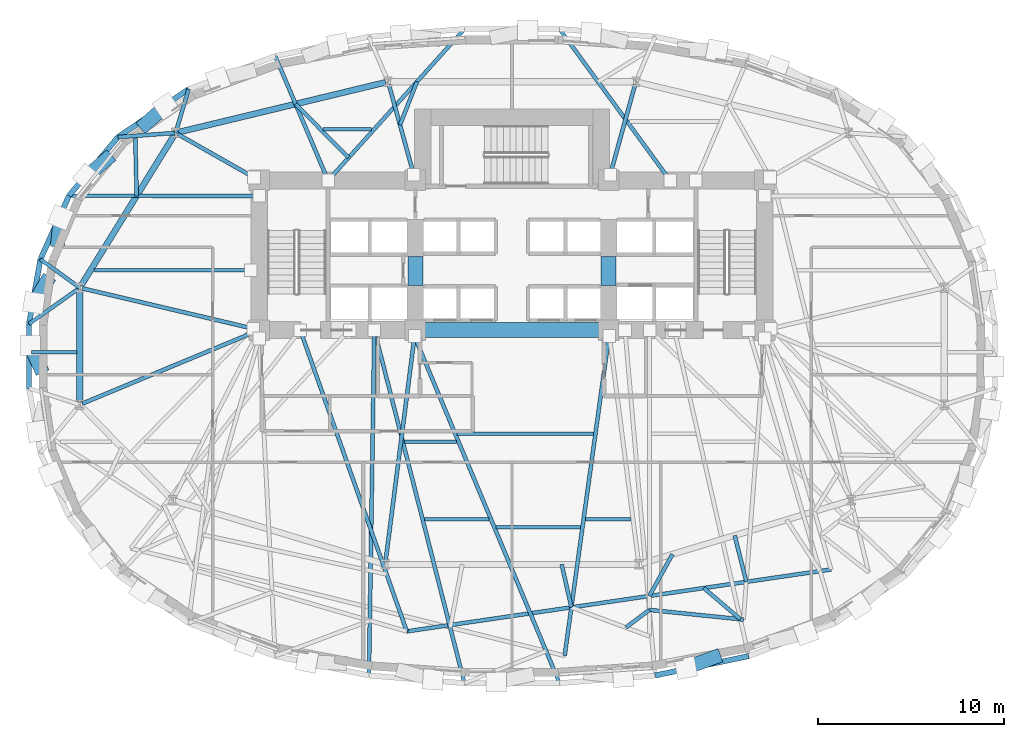
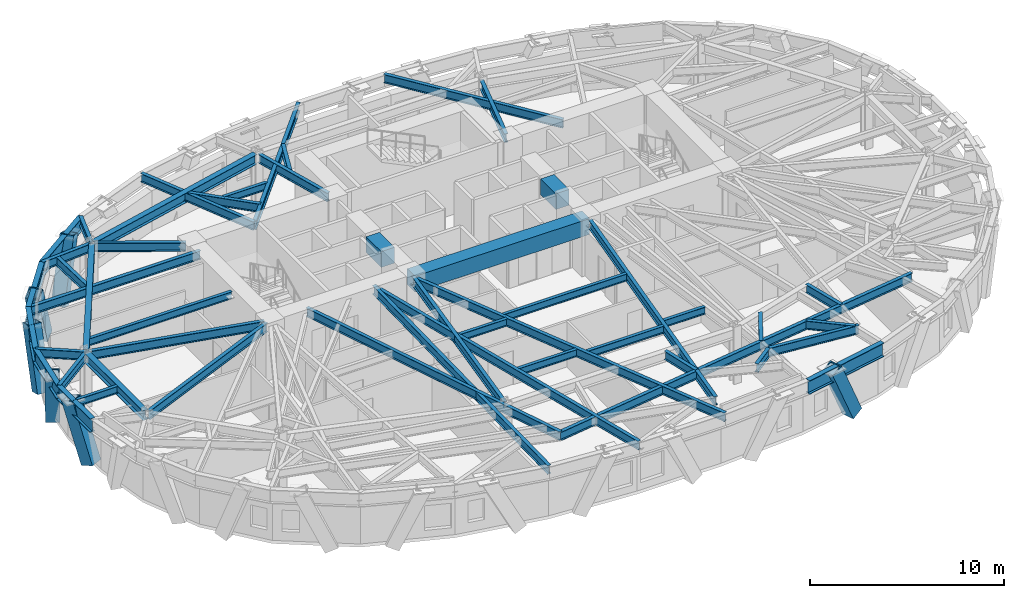
# One storey, part 2 of 13: 49 beams, 6 members.
"""IFC4 building model written with IfcOpenShell, lengths in metres."""

from ifc_helpers import new_model, si_unit, direction, frame, origin, origin_2d, place, context, subcontext, project, spatial, rectangle, hollow_rectangle, i_section, extrude, material, material_profile, profile_set, type_object, element, save


model = new_model("IFC4")

# Units and contexts
model_context = context("Model", 3, precision=1e-05, world=origin(), true_north=direction((0.0, 1.0)))
body_context = subcontext(model_context, "Body", "Model", "MODEL_VIEW")
ifc_project = project(units=[si_unit("LENGTHUNIT", "METRE"), si_unit("AREAUNIT", "SQUARE_METRE"), si_unit("VOLUMEUNIT", "CUBIC_METRE"), si_unit("PLANEANGLEUNIT", "RADIAN"), si_unit("MASSUNIT", "GRAM", prefix="KILO")], contexts=[model_context])

# Site, building, storey
site_placement = place(None, origin())
site = spatial("IfcSite", under=ifc_project, at=site_placement, CompositionType="ELEMENT")
building_placement = place(site_placement, origin())
building = spatial("IfcBuilding", under=site, at=building_placement, Name="Keldmark Tower", CompositionType="ELEMENT")
storey_placement = place(building_placement, frame((0.0, 0.0, 30.60009765625)))
storey = spatial("IfcBuildingStorey", under=building, at=storey_placement, Name="L07", CompositionType="ELEMENT", Elevation=30.60009765625)

# Beams
ifc_material_1 = material(Name="Steel ASTM A992 Grade 50", Category="steel")
ifc_material_profile_1 = material_profile(ifc_material_1, i_section(OverallWidth=0.19091796875, OverallDepth=0.45703125, WebThickness=0.009033203125, FlangeThickness=0.014404296875, at=origin_2d()), Name="W18X50")
ifc_profile_set_1 = profile_set([ifc_material_profile_1], Name="Steel ASTM A992 Grade 50")
beam_type_1 = type_object("IfcBeamType", Name="Composite Floor Joist W18X50", PredefinedType="JOIST", material=ifc_profile_set_1)
beam_1_placement = place(storey_placement, frame((-4.709716796875, -8.780029296875, 3.17138671875), z_axis=(1.0, 0.0, 0.0), x_axis=(0.0, 1.0, 0.0)))
element("IfcBeam", 1, at=beam_1_placement, inside=storey, type_object=beam_type_1, Name="L07 Composite Floor Joist J01", PredefinedType="JOIST", context=body_context, shape_type="SweptSolid", body=[
    extrude(i_section(OverallWidth=0.19091796875, OverallDepth=0.45703125, WebThickness=0.009033203125, FlangeThickness=0.014404296875, at=origin_2d()), origin(), (0.0, 0.0, 1.0), 3.475830078125),
])
beam_2_placement = place(storey_placement, frame((-0.84912109375, -9.199951171875, 3.17138671875), z_axis=(1.0, 0.0, 0.0), x_axis=(0.0, 1.0, 0.0)))
element("IfcBeam", 2, at=beam_2_placement, inside=storey, type_object=beam_type_1, Name="L07 Composite Floor Joist J02", PredefinedType="JOIST", context=body_context, shape_type="SweptSolid", body=[
    extrude(i_section(OverallWidth=0.19091796875, OverallDepth=0.45703125, WebThickness=0.009033203125, FlangeThickness=0.014404296875, at=origin_2d()), origin(), (0.0, 0.0, 1.0), 4.544677734375),
])
beam_3_placement = place(storey_placement, frame((3.94775390625, -8.780029296875, 3.17138671875), z_axis=(1.0, 0.0, 0.0), x_axis=(0.0, 1.0, 0.0)))
element("IfcBeam", 3, at=beam_3_placement, inside=storey, type_object=beam_type_1, Name="L07 Composite Floor Joist J03", PredefinedType="JOIST", context=body_context, shape_type="SweptSolid", body=[
    extrude(i_section(OverallWidth=0.19091796875, OverallDepth=0.45703125, WebThickness=0.009033203125, FlangeThickness=0.014404296875, at=origin_2d()), origin(), (0.0, 0.0, 1.0), 2.46337890625),
])
beam_4_placement = place(storey_placement, frame((-5.776611328125, -4.60009765625, 3.17138671875), z_axis=(1.0, 0.0, 0.0), x_axis=(0.0, 1.0, 0.0)))
element("IfcBeam", 4, at=beam_4_placement, inside=storey, type_object=beam_type_1, Name="L07 Composite Floor Joist J08", PredefinedType="JOIST", context=body_context, shape_type="SweptSolid", body=[
    extrude(i_section(OverallWidth=0.19091796875, OverallDepth=0.45703125, WebThickness=0.009033203125, FlangeThickness=0.014404296875, at=origin_2d()), origin(), (0.0, 0.0, 1.0), 2.7939453125),
])
beam_5_placement = place(storey_placement, frame((-2.94921875, -4.179931640625, 3.17138671875), z_axis=(1.0, 0.0, 0.0), x_axis=(0.0, 1.0, 0.0)))
element("IfcBeam", 5, at=beam_5_placement, inside=storey, type_object=beam_type_1, Name="L07 Composite Floor Joist J09", PredefinedType="JOIST", context=body_context, shape_type="SweptSolid", body=[
    extrude(i_section(OverallWidth=0.19091796875, OverallDepth=0.45703125, WebThickness=0.009033203125, FlangeThickness=0.014404296875, at=origin_2d()), origin(), (0.0, 0.0, 1.0), 7.3408203125),
])
beam_6_placement = place(storey_placement, frame((-25.845947265625, 0.199951171875, 3.17138671875), z_axis=(1.0, 0.0, 0.0), x_axis=(0.0, 1.0, 0.0)))
element("IfcBeam", 6, at=beam_6_placement, inside=storey, type_object=beam_type_1, Name="L07 Composite Floor Joist J13", PredefinedType="JOIST", context=body_context, shape_type="SweptSolid", body=[
    extrude(i_section(OverallWidth=0.19091796875, OverallDepth=0.45703125, WebThickness=0.009033203125, FlangeThickness=0.014404296875, at=origin_2d()), origin(), (0.0, 0.0, 1.0), 2.43896484375),
])
beam_7_placement = place(storey_placement, frame((-22.489501953125, 4.6201171875, 3.17138671875), z_axis=(1.0, 0.0, 0.0), x_axis=(0.0, 1.0, 0.0)))
element("IfcBeam", 7, at=beam_7_placement, inside=storey, type_object=beam_type_1, Name="L07 Composite Floor Joist J16", PredefinedType="JOIST", context=body_context, shape_type="SweptSolid", body=[
    extrude(i_section(OverallWidth=0.19091796875, OverallDepth=0.45703125, WebThickness=0.009033203125, FlangeThickness=0.014404296875, at=origin_2d()), origin(), (0.0, 0.0, 1.0), 8.444580078125),
])
beam_8_placement = place(storey_placement, frame((-10.162353515625, 12.199951171875, 3.17138671875), z_axis=(1.0, 0.0, 0.0), x_axis=(0.0, 1.0, 0.0)))
element("IfcBeam", 8, at=beam_8_placement, inside=storey, type_object=beam_type_1, Name="L07 Composite Floor Joist J18", PredefinedType="JOIST", context=body_context, shape_type="SweptSolid", body=[
    extrude(i_section(OverallWidth=0.19091796875, OverallDepth=0.45703125, WebThickness=0.009033203125, FlangeThickness=0.014404296875, at=origin_2d()), origin(), (0.0, 0.0, 1.0), 2.6142578125),
])
ifc_material_2 = material(Name="Concrete C70/85", Category="concrete")
ifc_material_profile_2 = material_profile(ifc_material_2, rectangle(XDim=0.800048828125, YDim=1.0, at=origin_2d()), Name="RCB800X1000")
ifc_profile_set_2 = profile_set([ifc_material_profile_2], Name="Concrete C70/85")
beam_type_2 = type_object("IfcBeamType", Name="Core Coupling Beam RCB800X1000", PredefinedType="USERDEFINED", material=ifc_profile_set_2)
for number, where, z_axis, x_axis, name in (
    (9, (-5.199951171875, 3.800048828125, 2.89990234375), (0.0, 1.0, 0.0), (-1.0, 0.0, 0.0), "L07 West Core Coupling Beam"),
    (10, (5.199951171875, 3.800048828125, 2.89990234375), (0.0, 1.0, 0.0), (-1.0, 0.0, 0.0), "L07 East Core Coupling Beam"),
):
    element("IfcBeam", number, at=place(storey_placement, frame(where, z_axis=z_axis, x_axis=x_axis)), inside=storey, type_object=beam_type_2, Name=name, ObjectType="COUPLING BEAM", PredefinedType="USERDEFINED", context=body_context, shape_type="SweptSolid", body=[
        extrude(rectangle(XDim=0.800048828125, YDim=1.0, at=origin_2d()), origin(), (0.0, 0.0, 1.0), 1.550048828125),
    ])
beam_9_placement = place(storey_placement, frame((-5.199951171875, 1.39990234375, 2.89990234375), z_axis=(1.0, 0.0, 0.0), x_axis=(0.0, 1.0, 0.0)))
element("IfcBeam", 11, at=beam_9_placement, inside=storey, type_object=beam_type_2, Name="L07 Central South Core Coupling Beam", ObjectType="COUPLING BEAM", PredefinedType="USERDEFINED", context=body_context, shape_type="SweptSolid", body=[
    extrude(rectangle(XDim=0.800048828125, YDim=1.0, at=origin_2d()), origin(), (0.0, 0.0, 1.0), 10.39990234375),
])

# Members
ifc_material_3 = material(Name="Steel ASTM A572 Grade 50", Category="steel")
ifc_material_profile_3 = material_profile(ifc_material_3, hollow_rectangle(XDim=0.75, YDim=0.75, WallThickness=0.06494140625, at=origin_2d()), Name="BOX750X750X65")
ifc_profile_set_3 = profile_set([ifc_material_profile_3], Name="Steel ASTM A572 Grade 50")
member_type = type_object("IfcMemberType", Name="Diagrid Lower Brace BOX750X750X65", PredefinedType="BRACE", material=ifc_profile_set_3)
member_1_placement = place(storey_placement, frame((-19.722900390625, 12.48291015625, -0.280029296875), z_axis=(0.285001582628, 0.251636162538, 0.924907205942), x_axis=(-0.661864400512, 0.74962358243, 0.0)))
element("IfcMember", 12, at=member_1_placement, inside=storey, type_object=member_type, Name="L07 Perimeter Diagrid Brace 06B", PredefinedType="BRACE", context=body_context, shape_type="SweptSolid", body=[
    extrude(hollow_rectangle(XDim=0.75, YDim=0.75, WallThickness=0.06494140625, at=origin_2d()), origin(), (0.0, 0.0, 1.0), 3.848876953125),
])
member_2_placement = place(storey_placement, frame((-21.81396484375, 10.588134765625, -0.280029296875), z_axis=(-0.284446514488, -0.246706682099, 0.926404875529), x_axis=(0.655213151675, -0.755444058731, 0.0)))
element("IfcMember", 13, at=member_2_placement, inside=storey, type_object=member_type, Name="L07 Perimeter Diagrid Brace 07A", PredefinedType="BRACE", context=body_context, shape_type="SweptSolid", body=[
    extrude(hollow_rectangle(XDim=0.75, YDim=0.75, WallThickness=0.06494140625, at=origin_2d()), origin(), (0.0, 0.0, 1.0), 3.842529296875),
])
member_3_placement = place(storey_placement, frame((-24.42919921875, 6.228515625, -0.280029296875), z_axis=(0.036789376475, 0.326700026299, 0.944411792914), x_axis=(-0.993719272746, 0.111901773775, 0.0)))
element("IfcMember", 14, at=member_3_placement, inside=storey, type_object=member_type, Name="L07 Perimeter Diagrid Brace 07B", PredefinedType="BRACE", context=body_context, shape_type="SweptSolid", body=[
    extrude(hollow_rectangle(XDim=0.75, YDim=0.75, WallThickness=0.06494140625, at=origin_2d()), origin(), (0.0, 0.0, 1.0), 3.769287109375),
])
member_4_placement = place(storey_placement, frame((-25.062255859375, 3.96484375, -0.280029296875), z_axis=(-0.174164005601, -0.288206880608, 0.941596353606), x_axis=(0.855864257108, -0.517200515666, 0.0)))
element("IfcMember", 15, at=member_4_placement, inside=storey, type_object=member_type, Name="L07 Perimeter Diagrid Brace 08A", PredefinedType="BRACE", context=body_context, shape_type="SweptSolid", body=[
    extrude(hollow_rectangle(XDim=0.75, YDim=0.75, WallThickness=0.06494140625, at=origin_2d()), origin(), (0.0, 0.0, 1.0), 3.780517578125),
])
member_5_placement = place(storey_placement, frame((-25.3994140625, -0.57177734375, -0.280029296875), z_axis=(-0.138706027739, 0.302889992508, 0.94287766455), x_axis=(-0.90919956447, -0.416360603285, 0.0)))
element("IfcMember", 16, at=member_5_placement, inside=storey, type_object=member_type, Name="L07 Perimeter Diagrid Brace 08B", PredefinedType="BRACE", context=body_context, shape_type="SweptSolid", body=[
    extrude(hollow_rectangle(XDim=0.75, YDim=0.75, WallThickness=0.06494140625, at=origin_2d()), origin(), (0.0, 0.0, 1.0), 3.775390625),
])
member_6_placement = place(storey_placement, frame((10.89599609375, -16.201904296875, -0.280029296875), z_axis=(-0.392148438927, -0.146370525965, 0.908182399618), x_axis=(0.349687993664, -0.936866216216, 0.0)))
element("IfcMember", 17, at=member_6_placement, inside=storey, type_object=member_type, Name="L07 Perimeter Diagrid Brace 13B", PredefinedType="BRACE", context=body_context, shape_type="SweptSolid", body=[
    extrude(hollow_rectangle(XDim=0.75, YDim=0.75, WallThickness=0.06494140625, at=origin_2d()), origin(), (0.0, 0.0, 1.0), 3.919677734375),
])

# Beams
ifc_material_4 = material(Name="Steel ASTM A992 Grade 50", Category="steel")
ifc_material_profile_4 = material_profile(ifc_material_4, i_section(OverallWidth=0.323974609375, OverallDepth=0.611083984375, WebThickness=0.0126953125, FlangeThickness=0.01904296875, at=origin_2d()), Name="W24X104")
ifc_profile_set_4 = profile_set([ifc_material_profile_4], Name="Steel ASTM A992 Grade 50")
beam_type_3 = type_object("IfcBeamType", Name="Primary Floor Girder W24X104", PredefinedType="BEAM", material=ifc_profile_set_4)
beam_10_placement = place(storey_placement, frame((-6.80126953125, 14.727294921875, 3.094482421875), z_axis=(-0.972218707757, -0.2340743136, 0.0), x_axis=(0.2340743136, -0.972218707757, 0.0)))
element("IfcBeam", 18, at=beam_10_placement, inside=storey, type_object=beam_type_3, Name="L07 Floor Ring Girder FG-R04", PredefinedType="BEAM", context=body_context, shape_type="SweptSolid", body=[
    extrude(i_section(OverallWidth=0.323974609375, OverallDepth=0.611083984375, WebThickness=0.0126953125, FlangeThickness=0.01904296875, at=origin_2d()), origin(), (0.0, 0.0, 1.0), 11.479248046875),
])
beam_11_placement = place(storey_placement, frame((-18.17138671875, 11.888427734375, 3.094482421875), z_axis=(-0.526318405849, -0.850287560573, 0.0), x_axis=(0.850287560573, -0.526318405849, 0.0)))
element("IfcBeam", 19, at=beam_11_placement, inside=storey, type_object=beam_type_3, Name="L07 Floor Ring Girder FG-R05", PredefinedType="BEAM", context=body_context, shape_type="SweptSolid", body=[
    extrude(i_section(OverallWidth=0.323974609375, OverallDepth=0.611083984375, WebThickness=0.0126953125, FlangeThickness=0.01904296875, at=origin_2d()), origin(), (0.0, 0.0, 1.0), 9.51708984375),
])
beam_12_placement = place(storey_placement, frame((-23.25390625, 3.537109375, 3.094482421875), z_axis=(0.0, -1.0, 0.0), x_axis=(1.0, 0.0, 0.0)))
element("IfcBeam", 20, at=beam_12_placement, inside=storey, type_object=beam_type_3, Name="L07 Floor Ring Girder FG-R06", PredefinedType="BEAM", context=body_context, shape_type="SweptSolid", body=[
    extrude(i_section(OverallWidth=0.323974609375, OverallDepth=0.611083984375, WebThickness=0.0126953125, FlangeThickness=0.01904296875, at=origin_2d()), origin(), (0.0, 0.0, 1.0), 6.01025390625),
])
ifc_material_5 = material(Name="Steel ASTM A992 Grade 50", Category="steel")
ifc_material_profile_5 = material_profile(ifc_material_5, i_section(OverallWidth=0.2099609375, OverallDepth=0.537109375, WebThickness=0.010986328125, FlangeThickness=0.017333984375, at=origin_2d()), Name="W21X68")
ifc_profile_set_5 = profile_set([ifc_material_profile_5], Name="Steel ASTM A992 Grade 50")
beam_type_4 = type_object("IfcBeamType", Name="Radial Tie Girder W21X68", PredefinedType="BEAM", material=ifc_profile_set_5)
beam_13_placement = place(storey_placement, frame((-11.392822265625, 1.39990234375, 3.13134765625), z_axis=(0.33356428286, -0.942727356769, 0.0), x_axis=(0.942727356769, 0.33356428286, 0.0)))
element("IfcBeam", 21, at=beam_13_placement, inside=storey, type_object=beam_type_4, Name="L07 Sub-Ring Step Girder STP1-M09", PredefinedType="BEAM", context=body_context, shape_type="SweptSolid", body=[
    extrude(i_section(OverallWidth=0.2099609375, OverallDepth=0.537109375, WebThickness=0.010986328125, FlangeThickness=0.017333984375, at=origin_2d()), origin(), (0.0, 0.0, 1.0), 17.192626953125),
])
beam_14_placement = place(storey_placement, frame((-5.657958984375, -14.80810546875, 3.13134765625), z_axis=(0.989525139139, 0.144360656042, 0.0), x_axis=(-0.144360656042, 0.989525139139, 0.0)))
element("IfcBeam", 22, at=beam_14_placement, inside=storey, type_object=beam_type_4, Name="L07 Perimeter Collector Ring Beam CRG1-M09", PredefinedType="BEAM", context=body_context, shape_type="SweptSolid", body=[
    extrude(i_section(OverallWidth=0.2099609375, OverallDepth=0.537109375, WebThickness=0.010986328125, FlangeThickness=0.017333984375, at=origin_2d()), origin(), (0.0, 0.0, 1.0), 23.066162109375),
])
beam_15_placement = place(storey_placement, frame((2.6728515625, -11.205810546875, 3.13134765625), z_axis=(0.220017313509, -0.975495967063, 0.0), x_axis=(0.975495967063, 0.220017313509, 0.0)))
element("IfcBeam", 23, at=beam_15_placement, inside=storey, type_object=beam_type_4, Name="L07 Framing Pin Header PH-005", PredefinedType="BEAM", context=body_context, shape_type="SweptSolid", body=[
    extrude(i_section(OverallWidth=0.2099609375, OverallDepth=0.537109375, WebThickness=0.010986328125, FlangeThickness=0.017333984375, at=origin_2d()), origin(), (0.0, 0.0, 1.0), 2.369140625),
])
beam_16_placement = place(storey_placement, frame((5.199951171875, 0.949951171875, 3.13134765625), z_axis=(-0.137352158192, -0.99052227872, 0.0), x_axis=(0.99052227872, -0.137352158192, 0.0)))
element("IfcBeam", 24, at=beam_16_placement, inside=storey, type_object=beam_type_4, Name="L07 Sub-Ring Step Girder STP2-M10", PredefinedType="BEAM", context=body_context, shape_type="SweptSolid", body=[
    extrude(i_section(OverallWidth=0.2099609375, OverallDepth=0.537109375, WebThickness=0.010986328125, FlangeThickness=0.017333984375, at=origin_2d()), origin(), (0.0, 0.0, 1.0), 17.232666015625),
])
beam_17_placement = place(storey_placement, frame((8.507080078125, 9.449951171875, 3.13134765625), z_axis=(-0.589691871199, 0.807628316147, 0.0), x_axis=(-0.807628316147, -0.589691871199, 0.0)))
element("IfcBeam", 25, at=beam_17_placement, inside=storey, type_object=beam_type_4, Name="L07 Perimeter Radial Tie Girder RT-08", PredefinedType="BEAM", context=body_context, shape_type="SweptSolid", body=[
    extrude(i_section(OverallWidth=0.2099609375, OverallDepth=0.537109375, WebThickness=0.010986328125, FlangeThickness=0.017333984375, at=origin_2d()), origin(), (0.0, 0.0, 1.0), 10.086669921875),
])
beam_18_placement = place(storey_placement, frame((-6.023681640625, 12.43505859375, 3.13134765625), z_axis=(0.364874844294, 0.931056576155, 0.0), x_axis=(-0.931056576155, 0.364874844294, 0.0)))
element("IfcBeam", 26, at=beam_18_placement, inside=storey, type_object=beam_type_4, Name="L07 Framing Pin Header PH-009", PredefinedType="BEAM", context=body_context, shape_type="SweptSolid", body=[
    extrude(i_section(OverallWidth=0.2099609375, OverallDepth=0.537109375, WebThickness=0.010986328125, FlangeThickness=0.017333984375, at=origin_2d()), origin(), (0.0, 0.0, 1.0), 2.4970703125),
])
beam_19_placement = place(storey_placement, frame((-9.892822265625, 9.449951171875, 3.13134765625), z_axis=(0.669071784852, 0.743197784385, 0.0), x_axis=(-0.743197784385, 0.669071784852, 0.0)))
element("IfcBeam", 27, at=beam_19_placement, inside=storey, type_object=beam_type_4, Name="L07 Perimeter Radial Tie Girder RT-09", PredefinedType="BEAM", context=body_context, shape_type="SweptSolid", body=[
    extrude(i_section(OverallWidth=0.2099609375, OverallDepth=0.537109375, WebThickness=0.010986328125, FlangeThickness=0.017333984375, at=origin_2d()), origin(), (0.0, 0.0, 1.0), 10.961181640625),
])
beam_20_placement = place(storey_placement, frame((-8.792724609375, 10.671875, 3.13134765625), z_axis=(-0.702065589332, 0.712112286283, 0.0), x_axis=(-0.712112286283, -0.702065589332, 0.0)))
element("IfcBeam", 28, at=beam_20_placement, inside=storey, type_object=beam_type_4, Name="L07 Framing Pin Header PH-010", PredefinedType="BEAM", context=body_context, shape_type="SweptSolid", body=[
    extrude(i_section(OverallWidth=0.2099609375, OverallDepth=0.537109375, WebThickness=0.010986328125, FlangeThickness=0.017333984375, at=origin_2d()), origin(), (0.0, 0.0, 1.0), 4.05810546875),
])
beam_21_placement = place(storey_placement, frame((-9.892822265625, 9.449951171875, 3.13134765625), z_axis=(-0.391408741079, 0.920216929537, 0.0), x_axis=(-0.920216929537, -0.391408741079, 0.0)))
element("IfcBeam", 29, at=beam_21_placement, inside=storey, type_object=beam_type_4, Name="L07 Perimeter Radial Tie Girder RT-11", PredefinedType="BEAM", context=body_context, shape_type="SweptSolid", body=[
    extrude(i_section(OverallWidth=0.2099609375, OverallDepth=0.537109375, WebThickness=0.010986328125, FlangeThickness=0.017333984375, at=origin_2d()), origin(), (0.0, 0.0, 1.0), 7.269287109375),
])
beam_22_placement = place(storey_placement, frame((-18.09765625, 12.00732421875, 3.13134765625), z_axis=(0.285885361765, 0.958263825848, 0.0), x_axis=(-0.958263825848, 0.285885361765, 0.0)))
element("IfcBeam", 30, at=beam_22_placement, inside=storey, type_object=beam_type_4, Name="L07 Perimeter Column Bracket RT-12", PredefinedType="BEAM", context=body_context, shape_type="SweptSolid", body=[
    extrude(i_section(OverallWidth=0.2099609375, OverallDepth=0.537109375, WebThickness=0.010986328125, FlangeThickness=0.017333984375, at=origin_2d()), origin(), (0.0, 0.0, 1.0), 2.450927734375),
])
beam_23_placement = place(storey_placement, frame((-18.09765625, 12.00732421875, 3.13134765625), z_axis=(-0.997363750587, -0.072564102799, 0.0), x_axis=(0.072564102799, -0.997363750587, 0.0)))
element("IfcBeam", 31, at=beam_23_placement, inside=storey, type_object=beam_type_4, Name="L07 Perimeter Column Bracket RT-13", PredefinedType="BEAM", context=body_context, shape_type="SweptSolid", body=[
    extrude(i_section(OverallWidth=0.2099609375, OverallDepth=0.537109375, WebThickness=0.010986328125, FlangeThickness=0.017333984375, at=origin_2d()), origin(), (0.0, 0.0, 1.0), 3.10888671875),
])
beam_24_placement = place(storey_placement, frame((-20.26806640625, 11.849365234375, 3.13134765625), z_axis=(0.023691107597, -0.999719326322, 0.0), x_axis=(0.999719326322, 0.023691107597, 0.0)))
element("IfcBeam", 32, at=beam_24_placement, inside=storey, type_object=beam_type_4, Name="L07 Framing Pin Header PH-011", PredefinedType="BEAM", context=body_context, shape_type="SweptSolid", body=[
    extrude(i_section(OverallWidth=0.2099609375, OverallDepth=0.537109375, WebThickness=0.010986328125, FlangeThickness=0.017333984375, at=origin_2d()), origin(), (0.0, 0.0, 1.0), 3.2255859375),
])
beam_25_placement = place(storey_placement, frame((-13.60009765625, 8.621337890625, 3.13134765625), z_axis=(-0.999999874439, 0.000501121495, 0.0), x_axis=(-0.000501121495, -0.999999874439, 0.0)))
element("IfcBeam", 33, at=beam_25_placement, inside=storey, type_object=beam_type_4, Name="L07 Perimeter Radial Tie Girder RT-14", PredefinedType="BEAM", context=body_context, shape_type="SweptSolid", body=[
    extrude(i_section(OverallWidth=0.2099609375, OverallDepth=0.537109375, WebThickness=0.010986328125, FlangeThickness=0.017333984375, at=origin_2d()), origin(), (0.0, 0.0, 1.0), 10.23095703125),
])
beam_26_placement = place(storey_placement, frame((-23.25390625, 3.67724609375, 3.13134765625), z_axis=(-0.809366097725, 0.587304452437, 0.0), x_axis=(-0.587304452437, -0.809366097725, 0.0)))
element("IfcBeam", 34, at=beam_26_placement, inside=storey, type_object=beam_type_4, Name="L07 Perimeter Column Bracket RT-15", PredefinedType="BEAM", context=body_context, shape_type="SweptSolid", body=[
    extrude(i_section(OverallWidth=0.2099609375, OverallDepth=0.537109375, WebThickness=0.010986328125, FlangeThickness=0.017333984375, at=origin_2d()), origin(), (0.0, 0.0, 1.0), 2.6123046875),
])
beam_27_placement = place(storey_placement, frame((-23.25390625, 3.67724609375, 3.13134765625), z_axis=(-0.81446637972, -0.580210751629, 0.0), x_axis=(0.580210751629, -0.81446637972, 0.0)))
element("IfcBeam", 35, at=beam_27_placement, inside=storey, type_object=beam_type_4, Name="L07 Perimeter Column Bracket RT-16", PredefinedType="BEAM", context=body_context, shape_type="SweptSolid", body=[
    extrude(i_section(OverallWidth=0.2099609375, OverallDepth=0.537109375, WebThickness=0.010986328125, FlangeThickness=0.017333984375, at=origin_2d()), origin(), (0.0, 0.0, 1.0), 3.3505859375),
])
beam_28_placement = place(storey_placement, frame((-7.406982421875, 1.39990234375, 3.13134765625), z_axis=(-0.015516573857, -0.999879610721, 0.0), x_axis=(0.999879610721, -0.015516573857, 0.0)))
element("IfcBeam", 36, at=beam_28_placement, inside=storey, type_object=beam_type_4, Name="L07 Perimeter Radial Tie Girder RT-23", PredefinedType="BEAM", context=body_context, shape_type="SweptSolid", body=[
    extrude(i_section(OverallWidth=0.2099609375, OverallDepth=0.537109375, WebThickness=0.010986328125, FlangeThickness=0.017333984375, at=origin_2d()), origin(), (0.0, 0.0, 1.0), 18.58203125),
])
beam_29_placement = place(storey_placement, frame((-7.406982421875, 1.39990234375, 3.13134765625), z_axis=(0.247279518119, -0.968944188237, 0.0), x_axis=(0.968944188237, 0.247279518119, 0.0)))
element("IfcBeam", 37, at=beam_29_placement, inside=storey, type_object=beam_type_4, Name="L07 Perimeter Radial Tie Girder RT-24", PredefinedType="BEAM", context=body_context, shape_type="SweptSolid", body=[
    extrude(i_section(OverallWidth=0.2099609375, OverallDepth=0.537109375, WebThickness=0.010986328125, FlangeThickness=0.017333984375, at=origin_2d()), origin(), (0.0, 0.0, 1.0), 19.60498046875),
])
beam_30_placement = place(storey_placement, frame((-5.199951171875, 0.949951171875, 3.13134765625), z_axis=(0.385948956389, -0.922520136941, 0.0), x_axis=(0.922520136941, 0.385948956389, 0.0)))
element("IfcBeam", 38, at=beam_30_placement, inside=storey, type_object=beam_type_4, Name="L07 Perimeter Radial Tie Girder RT-25", PredefinedType="BEAM", context=body_context, shape_type="SweptSolid", body=[
    extrude(i_section(OverallWidth=0.2099609375, OverallDepth=0.537109375, WebThickness=0.010986328125, FlangeThickness=0.017333984375, at=origin_2d()), origin(), (0.0, 0.0, 1.0), 20.103759765625),
])
beam_31_placement = place(storey_placement, frame((8.630615234375, -10.659912109375, 3.13134765625), z_axis=(-0.483872210501, -0.87513866553, 0.0), x_axis=(0.87513866553, -0.483872210501, 0.0)))
element("IfcBeam", 39, at=beam_31_placement, inside=storey, type_object=beam_type_4, Name="L07 Framing Pin Header PH-018", PredefinedType="BEAM", context=body_context, shape_type="SweptSolid", body=[
    extrude(i_section(OverallWidth=0.2099609375, OverallDepth=0.537109375, WebThickness=0.010986328125, FlangeThickness=0.017333984375, at=origin_2d()), origin(), (0.0, 0.0, 1.0), 2.565185546875),
])
beam_32_placement = place(storey_placement, frame((6.12890625, -14.6005859375, 3.13134765625), z_axis=(0.799274352103, 0.60096631359, 0.0), x_axis=(-0.60096631359, 0.799274352103, 0.0)))
element("IfcBeam", 40, at=beam_32_placement, inside=storey, type_object=beam_type_4, Name="L07 Framing Pin Header PH-019", PredefinedType="BEAM", context=body_context, shape_type="SweptSolid", body=[
    extrude(i_section(OverallWidth=0.2099609375, OverallDepth=0.537109375, WebThickness=0.010986328125, FlangeThickness=0.017333984375, at=origin_2d()), origin(), (0.0, 0.0, 1.0), 1.575927734375),
])
beam_33_placement = place(storey_placement, frame((11.979248046875, -9.649169921875, 3.13134765625), z_axis=(0.243473559084, -0.969907534782, 0.0), x_axis=(0.969907534782, 0.243473559084, 0.0)))
element("IfcBeam", 41, at=beam_33_placement, inside=storey, type_object=beam_type_4, Name="L07 Framing Pin Header PH-020", PredefinedType="BEAM", context=body_context, shape_type="SweptSolid", body=[
    extrude(i_section(OverallWidth=0.2099609375, OverallDepth=0.537109375, WebThickness=0.010986328125, FlangeThickness=0.017333984375, at=origin_2d()), origin(), (0.0, 0.0, 1.0), 2.572021484375),
])
beam_34_placement = place(storey_placement, frame((7.388427734375, -13.653564453125, 3.13134765625), z_axis=(0.994766196786, -0.102177364091, 0.0), x_axis=(0.102177364091, 0.994766196786, 0.0)))
element("IfcBeam", 42, at=beam_34_placement, inside=storey, type_object=beam_type_4, Name="L07 Local Collector Chord RT-27C", PredefinedType="BEAM", context=body_context, shape_type="SweptSolid", body=[
    extrude(i_section(OverallWidth=0.2099609375, OverallDepth=0.537109375, WebThickness=0.010986328125, FlangeThickness=0.017333984375, at=origin_2d()), origin(), (0.0, 0.0, 1.0), 5.08935546875),
])
beam_35_placement = place(storey_placement, frame((10.3193359375, -12.477294921875, 3.13134765625), z_axis=(0.76044167386, -0.649406237002, 0.0), x_axis=(0.649406237002, 0.76044167386, 0.0)))
element("IfcBeam", 43, at=beam_35_placement, inside=storey, type_object=beam_type_4, Name="L07 Framing Pin Header PH-021", PredefinedType="BEAM", context=body_context, shape_type="SweptSolid", body=[
    extrude(i_section(OverallWidth=0.2099609375, OverallDepth=0.537109375, WebThickness=0.010986328125, FlangeThickness=0.017333984375, at=origin_2d()), origin(), (0.0, 0.0, 1.0), 2.585693359375),
])
ifc_material_6 = material(Name="Steel ASTM A992 Grade 50", Category="steel")
ifc_material_profile_6 = material_profile(ifc_material_6, i_section(OverallWidth=0.214111328125, OverallDepth=0.549072265625, WebThickness=0.0146484375, FlangeThickness=0.023681640625, at=origin_2d()), Name="W21X93")
ifc_profile_set_6 = profile_set([ifc_material_profile_6], Name="Steel ASTM A992 Grade 50")
beam_type_5 = type_object("IfcBeamType", Name="Radial Tie Girder W21X93", PredefinedType="BEAM", material=ifc_profile_set_6)
for number, where, z_axis, x_axis, name in (
    (44, (6.6279296875, 14.625, 3.12548828125), (-0.265984786353, -0.963977226613, 0.0), (0.963977226613, -0.265984786353, 0.0), "L07 Floor Radial Girder FG-C03"),
    (45, (-6.6279296875, 14.625, 3.12548828125), (0.265984786353, -0.963977226613, 0.0), (0.963977226613, 0.265984786353, 0.0), "L07 Floor Radial Girder FG-C04"),
):
    element("IfcBeam", number, at=place(storey_placement, frame(where, z_axis=z_axis, x_axis=x_axis)), inside=storey, type_object=beam_type_5, Name=name, PredefinedType="BEAM", context=body_context, shape_type="SweptSolid", body=[
        extrude(i_section(OverallWidth=0.214111328125, OverallDepth=0.549072265625, WebThickness=0.0146484375, FlangeThickness=0.023681640625, at=origin_2d()), origin(), (0.0, 0.0, 1.0), 5.04833984375),
    ])
beam_36_placement = place(storey_placement, frame((-17.97607421875, 11.938232421875, 3.12548828125), z_axis=(0.869299282131, -0.494286109542, 0.0), x_axis=(0.494286109542, 0.869299282131, 0.0)))
element("IfcBeam", 46, at=beam_36_placement, inside=storey, type_object=beam_type_5, Name="L07 Floor Radial Girder FG-C05", PredefinedType="BEAM", context=body_context, shape_type="SweptSolid", body=[
    extrude(i_section(OverallWidth=0.214111328125, OverallDepth=0.549072265625, WebThickness=0.0146484375, FlangeThickness=0.023681640625, at=origin_2d()), origin(), (0.0, 0.0, 1.0), 4.714111328125),
])
beam_37_placement = place(storey_placement, frame((-23.11767578125, 3.64501953125, 3.12548828125), z_axis=(0.973287364179, -0.229590301909, 0.0), x_axis=(0.229590301909, 0.973287364179, 0.0)))
element("IfcBeam", 47, at=beam_37_placement, inside=storey, type_object=beam_type_5, Name="L07 Floor Radial Girder FG-C06", PredefinedType="BEAM", context=body_context, shape_type="SweptSolid", body=[
    extrude(i_section(OverallWidth=0.214111328125, OverallDepth=0.549072265625, WebThickness=0.0146484375, FlangeThickness=0.023681640625, at=origin_2d()), origin(), (0.0, 0.0, 1.0), 9.458740234375),
])
beam_38_placement = place(storey_placement, frame((-23.124755859375, -2.5595703125, 3.12548828125), z_axis=(0.923390978102, 0.383860784088, 0.0), x_axis=(-0.383860784088, 0.923390978102, 0.0)))
element("IfcBeam", 48, at=beam_38_placement, inside=storey, type_object=beam_type_5, Name="L07 Floor Radial Girder FG-C07", PredefinedType="BEAM", context=body_context, shape_type="SweptSolid", body=[
    extrude(i_section(OverallWidth=0.214111328125, OverallDepth=0.549072265625, WebThickness=0.0146484375, FlangeThickness=0.023681640625, at=origin_2d()), origin(), (0.0, 0.0, 1.0), 9.994873046875),
])
beam_39_placement = place(storey_placement, frame((-6.80419921875, -11.06689453125, 3.12548828125), z_axis=(0.127634898593, 0.99182122011, 0.0), x_axis=(-0.99182122011, 0.127634898593, 0.0)))
element("IfcBeam", 49, at=beam_39_placement, inside=storey, type_object=beam_type_5, Name="L07 Floor Radial Girder FG-C09", PredefinedType="BEAM", context=body_context, shape_type="SweptSolid", body=[
    extrude(i_section(OverallWidth=0.214111328125, OverallDepth=0.549072265625, WebThickness=0.0146484375, FlangeThickness=0.023681640625, at=origin_2d()), origin(), (0.0, 0.0, 1.0), 12.24951171875),
])
ifc_material_7 = material(Name="Steel ASTM A992 Grade 50", Category="steel")
ifc_material_profile_7 = material_profile(ifc_material_7, i_section(OverallWidth=0.2919921875, OverallDepth=0.85888671875, WebThickness=0.01708984375, FlangeThickness=0.031005859375, at=origin_2d()), Name="W33X169")
ifc_profile_set_7 = profile_set([ifc_material_profile_7], Name="Steel ASTM A992 Grade 50")
beam_type_6 = type_object("IfcBeamType", Name="Spandrel Ring Beam W33X169", PredefinedType="SPANDREL", material=ifc_profile_set_7)
beam_40_placement = place(storey_placement, frame((-17.39697265625, 14.35595703125, 2.970458984375), z_axis=(-0.828003115717, -0.560723497246, 0.0), x_axis=(0.560723497246, -0.828003115717, 0.0)))
element("IfcBeam", 50, at=beam_40_placement, inside=storey, type_object=beam_type_6, Name="L07 Perimeter Spandrel Ring Beam SRB-12", PredefinedType="SPANDREL", context=body_context, shape_type="SweptSolid", body=[
    extrude(i_section(OverallWidth=0.2919921875, OverallDepth=0.85888671875, WebThickness=0.01708984375, FlangeThickness=0.031005859375, at=origin_2d()), origin(), (0.0, 0.0, 1.0), 4.5908203125),
])
beam_41_placement = place(storey_placement, frame((-21.1982421875, 11.78173828125, 2.970458984375), z_axis=(-0.640675130162, -0.767812071793, 0.0), x_axis=(0.767812071793, -0.640675130162, 0.0)))
element("IfcBeam", 51, at=beam_41_placement, inside=storey, type_object=beam_type_6, Name="L07 Perimeter Spandrel Ring Beam SRB-13", PredefinedType="SPANDREL", context=body_context, shape_type="SweptSolid", body=[
    extrude(i_section(OverallWidth=0.2919921875, OverallDepth=0.85888671875, WebThickness=0.01708984375, FlangeThickness=0.031005859375, at=origin_2d()), origin(), (0.0, 0.0, 1.0), 4.109375),
])
beam_42_placement = place(storey_placement, frame((-23.8310546875, 8.62646484375, 2.970458984375), z_axis=(-0.41044057359, -0.911887348059, 0.0), x_axis=(0.911887348059, -0.41044057359, 0.0)))
element("IfcBeam", 52, at=beam_42_placement, inside=storey, type_object=beam_type_6, Name="L07 Perimeter Spandrel Ring Beam SRB-14", PredefinedType="SPANDREL", context=body_context, shape_type="SweptSolid", body=[
    extrude(i_section(OverallWidth=0.2919921875, OverallDepth=0.85888671875, WebThickness=0.01708984375, FlangeThickness=0.031005859375, at=origin_2d()), origin(), (0.0, 0.0, 1.0), 3.7451171875),
])
beam_43_placement = place(storey_placement, frame((-25.3681640625, 5.21142578125, 2.970458984375), z_axis=(-0.174041624961, -0.984738296595, 0.0), x_axis=(0.984738296595, -0.174041624961, 0.0)))
element("IfcBeam", 53, at=beam_43_placement, inside=storey, type_object=beam_type_6, Name="L07 Perimeter Spandrel Ring Beam SRB-15", PredefinedType="SPANDREL", context=body_context, shape_type="SweptSolid", body=[
    extrude(i_section(OverallWidth=0.2919921875, OverallDepth=0.85888671875, WebThickness=0.01708984375, FlangeThickness=0.031005859375, at=origin_2d()), origin(), (0.0, 0.0, 1.0), 3.5322265625),
])
beam_44_placement = place(storey_placement, frame((-25.98291015625, 1.733154296875, 2.970458984375), z_axis=(0.0, -1.0, 0.0), x_axis=(1.0, 0.0, 0.0)))
element("IfcBeam", 54, at=beam_44_placement, inside=storey, type_object=beam_type_6, Name="L07 Perimeter Spandrel Ring Beam SRB-16", PredefinedType="SPANDREL", context=body_context, shape_type="SweptSolid", body=[
    extrude(i_section(OverallWidth=0.2919921875, OverallDepth=0.85888671875, WebThickness=0.01708984375, FlangeThickness=0.031005859375, at=origin_2d()), origin(), (0.0, 0.0, 1.0), 3.46630859375),
])
beam_45_placement = place(storey_placement, frame((7.6953125, -17.179931640625, 2.970458984375), z_axis=(0.979358594609, 0.202130510231, 0.0), x_axis=(-0.202130510231, 0.979358594609, 0.0)))
element("IfcBeam", 55, at=beam_45_placement, inside=storey, type_object=beam_type_6, Name="L07 Perimeter Spandrel Ring Beam SRB-26", PredefinedType="SPANDREL", context=body_context, shape_type="SweptSolid", body=[
    extrude(i_section(OverallWidth=0.2919921875, OverallDepth=0.85888671875, WebThickness=0.01708984375, FlangeThickness=0.031005859375, at=origin_2d()), origin(), (0.0, 0.0, 1.0), 5.14892578125),
])

save(model, "model.ifc")
